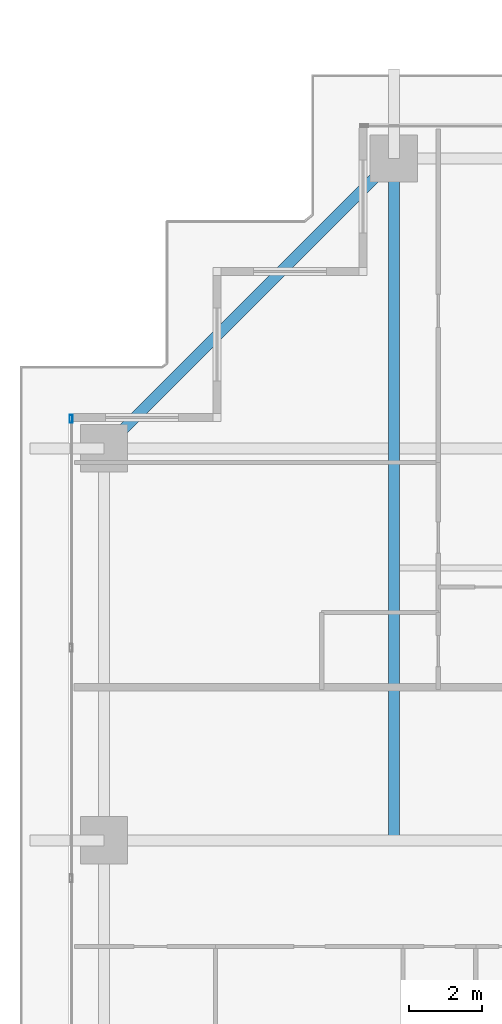
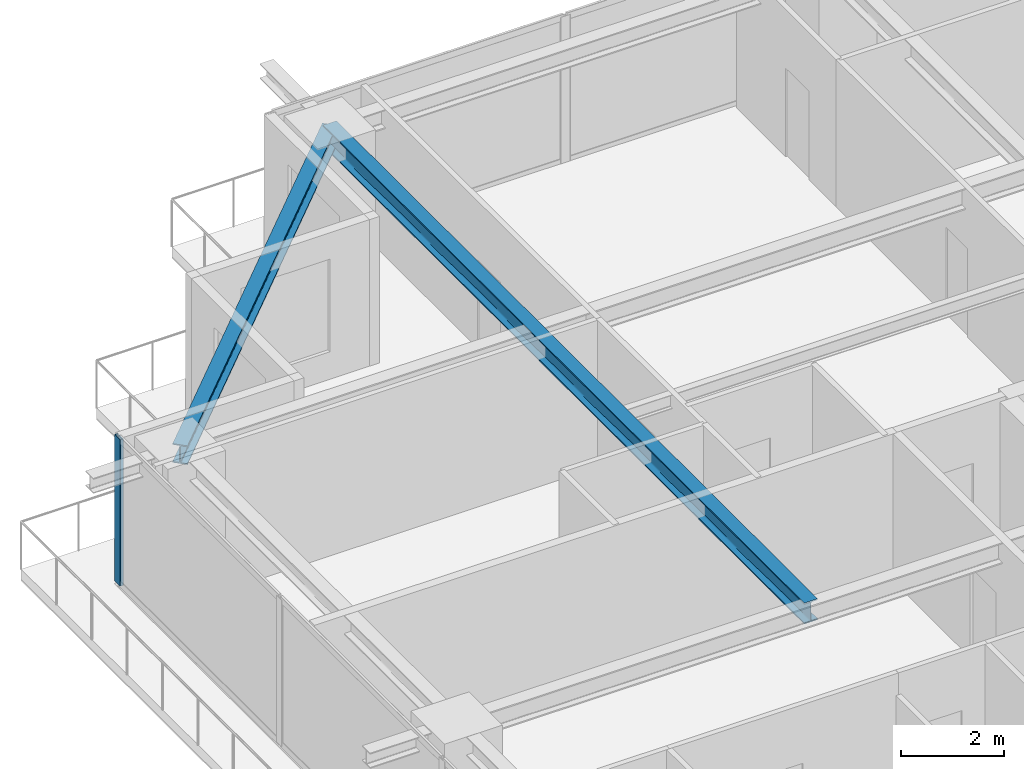
# One storey, part 17 of 35: 2 beams, 1 member, 1 element without a shape of its own.
"""IFC4 building model written with IfcOpenShell, lengths in metres."""

from ifc_helpers import new_model, si_unit, direction, frame, origin, origin_2d, place, context, subcontext, project, spatial, hollow_rectangle, i_section, extrude, source, transform, mapped, material, layer, layer_set, material_profile, profile_set, type_object, element, aggregate, save


model = new_model("IFC4")

# Units and contexts
model_context = context("Model", 3, precision=1e-05, world=origin(), true_north=direction((0.0, 1.0)))
body_context = subcontext(model_context, "Body", "Model", "MODEL_VIEW")
ifc_project = project(units=[si_unit("LENGTHUNIT", "METRE"), si_unit("AREAUNIT", "SQUARE_METRE"), si_unit("VOLUMEUNIT", "CUBIC_METRE"), si_unit("PLANEANGLEUNIT", "RADIAN"), si_unit("MASSUNIT", "GRAM", prefix="KILO")], contexts=[model_context])

# Site, building, storey
site_placement = place(None, origin())
site = spatial("IfcSite", under=ifc_project, at=site_placement, CompositionType="ELEMENT")
building_placement = place(site_placement, origin())
building = spatial("IfcBuilding", under=site, at=building_placement, Name="Serunith Strait Residences", CompositionType="ELEMENT")
storey_placement = place(building_placement, frame((0.0, 0.0, 191.39990234375)))
storey = spatial("IfcBuildingStorey", under=building, at=storey_placement, Name="L48", CompositionType="ELEMENT", Elevation=191.39990234375)

# Beams
ifc_material_1 = material(Name="Steel S355J2", Category="steel")
ifc_material_profile_1 = material_profile(ifc_material_1, i_section(OverallWidth=0.300048828125, OverallDepth=0.5, WebThickness=0.014404296875, FlangeThickness=0.028076171875, FilletRadius=0.027099609375, at=origin_2d()), Name="HEB 500")
ifc_profile_set_1 = profile_set([ifc_material_profile_1], Name="Steel S355J2")
beam_type_1 = type_object("IfcBeamType", Name="BM-HEB500", PredefinedType="BEAM", material=ifc_profile_set_1)
shared_shape_1 = source(origin(), body_context, "Body", "SweptSolid", [
    extrude(i_section(OverallWidth=0.300048828125, OverallDepth=0.5, WebThickness=0.014404296875, FlangeThickness=0.028076171875, FilletRadius=0.027099609375, at=origin_2d()), origin(), (0.0, 0.0, 1.0), 18.7001953125),
])
beam_1_placement = place(storey_placement, frame((16.64990234375, 29.39990234375, 3.237060546875), z_axis=(0.0, 1.0, 0.0), x_axis=(-1.0, 0.0, 0.0)))
element("IfcBeam", 1, at=beam_1_placement, inside=storey, type_object=beam_type_1, Name="L48 Orthogonal Corner Girder TC-N1", PredefinedType="BEAM", context=body_context, shape_type="MappedRepresentation", body=[
    mapped(shared_shape_1, transform((0.0, 0.0, 0.0), scale=1.0)),
])
ifc_material_profile_2 = material_profile(ifc_material_1, i_section(OverallWidth=0.300048828125, OverallDepth=0.449951171875, WebThickness=0.013916015625, FlangeThickness=0.02587890625, FilletRadius=0.027099609375, at=origin_2d()), Name="HEB 450")
ifc_profile_set_2 = profile_set([ifc_material_profile_2], Name="Steel S355J2")
beam_type_2 = type_object("IfcBeamType", Name="BM-HEB450", PredefinedType="BEAM", material=ifc_profile_set_2)
shared_shape_2 = source(origin(), body_context, "Body", "SweptSolid", [
    extrude(i_section(OverallWidth=0.300048828125, OverallDepth=0.449951171875, WebThickness=0.013916015625, FlangeThickness=0.02587890625, FilletRadius=0.027099609375, at=origin_2d()), origin(), (0.0, 0.0, 1.0), 11.2431640625),
])
beam_2_placement = place(storey_placement, frame((16.64990234375, 48.10009765625, 3.232177734375), z_axis=(-0.707095923751, -0.707117638455, 0.0), x_axis=(0.707117638455, -0.707095923751, 0.0)))
element("IfcBeam", 2, at=beam_2_placement, inside=storey, type_object=beam_type_2, Name="L48 Perimeter Ring Beam 12", PredefinedType="BEAM", context=body_context, shape_type="MappedRepresentation", body=[
    mapped(shared_shape_2, transform((0.0, 0.0, 0.0), scale=1.0)),
])

# Curtain wall, member
ifc_material_2 = material(Name="Pale-Silver PVDF Aluminium", Category="aluminium")
ifc_layer = layer(ifc_material_2, 0.199951171875, Name="Pale-Silver PVDF Aluminium")
ifc_layer_set = layer_set([ifc_layer], Name="Pale-Silver PVDF Aluminium")
curtain_wall_type = type_object("IfcCurtainWallType", Name="CW-SYS3", PredefinedType="NOTDEFINED", material=ifc_layer_set)
curtain_wall_placement = place(storey_placement, origin())
curtain_wall = element("IfcCurtainWall", 3, at=curtain_wall_placement, inside=storey, type_object=curtain_wall_type, Name="L48 W Unitised Fritted Curtain Wall", PredefinedType="NOTDEFINED")
ifc_material_profile_3 = material_profile(ifc_material_2, hollow_rectangle(XDim=0.074951171875, YDim=0.219970703125, WallThickness=0.00390625, InnerFilletRadius=0.006103515625, OuterFilletRadius=0.010009765625, at=origin_2d()), Name="ALU 220x75x4")
ifc_profile_set_3 = profile_set([ifc_material_profile_3], Name="Pale-Silver PVDF Aluminium")
member_type = type_object("IfcMemberType", Name="CW-SYS3-MULL", PredefinedType="MULLION", material=ifc_profile_set_3)
shared_shape_3 = source(origin(), body_context, "Body", "SweptSolid", [
    extrude(hollow_rectangle(XDim=0.074951171875, YDim=0.219970703125, WallThickness=0.00390625, InnerFilletRadius=0.006103515625, OuterFilletRadius=0.010009765625, at=origin_2d()), origin(), (0.0, 0.0, 1.0), 3.47509765625),
])
member_placement = place(storey_placement, frame((7.800048828125, 40.96240234375, 0.0), z_axis=(0.0, 0.0, 1.0), x_axis=(1.0, 0.0, 0.0)))
member = element("IfcMember", 4, at=member_placement, type_object=member_type, Name="CW-3 mullion 1", PredefinedType="MULLION", context=body_context, shape_type="MappedRepresentation", body=[
    mapped(shared_shape_3, transform((0.0, 0.0, 0.0), scale=1.0)),
])
aggregate(curtain_wall, [member])

save(model, "model.ifc")
